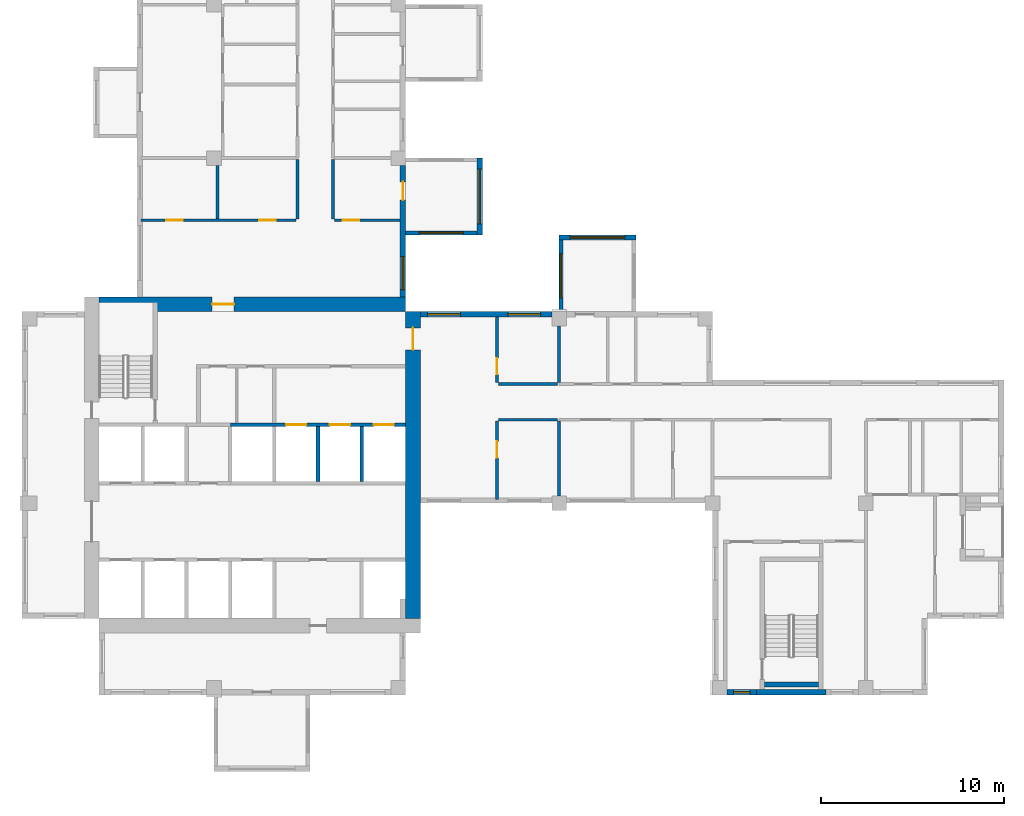
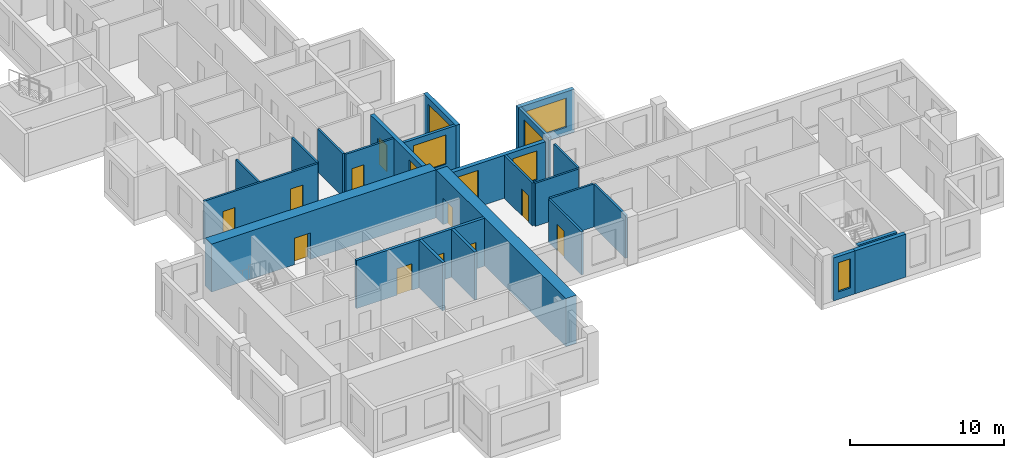
# One storey, part 3 of 11: 25 walls, 11 doors, 8 windows, 19 openings.
"""IFC4 building model written with IfcOpenShell, lengths in metres."""

from ifc_helpers import new_model, si_unit, direction, frame, frame_2d, origin, place, context, subcontext, project, spatial, rectangle, extrude, source, transform, mapped, material, layer, layer_set, type_object, element, fill, save


model = new_model("IFC4")

# Units and contexts
model_context = context("Model", 3, precision=1e-05, world=origin(), true_north=direction((0.0, 1.0)))
body_context = subcontext(model_context, "Body", "Model", "MODEL_VIEW")
ifc_project = project(units=[si_unit("LENGTHUNIT", "METRE"), si_unit("AREAUNIT", "SQUARE_METRE"), si_unit("VOLUMEUNIT", "CUBIC_METRE"), si_unit("PLANEANGLEUNIT", "RADIAN"), si_unit("MASSUNIT", "GRAM", prefix="KILO")], contexts=[model_context])

# Site, building, storey
site_placement = place(None, origin())
site = spatial("IfcSite", under=ifc_project, at=site_placement, CompositionType="ELEMENT")
building_placement = place(site_placement, origin())
building = spatial("IfcBuilding", under=site, at=building_placement, Name="Aurelian Terraces", CompositionType="ELEMENT")
storey_placement = place(building_placement, frame((0.0, 0.0, 257.6)))
storey = spatial("IfcBuildingStorey", under=building, at=storey_placement, Name="L59", CompositionType="ELEMENT", Elevation=257.6)

# Wall
ifc_material_1 = material(Name="Gypsum board on steel studs", Category="steel")
ifc_layer_1 = layer(ifc_material_1, 0.15)
ifc_layer_set_1 = layer_set([ifc_layer_1], Name="Partition 150")
wall_type_1 = type_object("IfcWallType", Name="Partition 150", PredefinedType="PARTITIONING", material=ifc_layer_set_1)
wall_1_placement = place(storey_placement, frame((10.7, 26.075, 0.0), z_axis=(0.0, 0.0, 1.0), x_axis=(0.0, 1.0, 0.0)))
element("IfcWall", 1, at=wall_1_placement, inside=storey, type_object=wall_type_1, Name="Partition", PredefinedType="PARTITIONING", context=body_context, shape_type="SweptSolid", body=[
    extrude(rectangle(XDim=2.926, YDim=0.15, at=frame_2d((1.463, 0.0))), origin(), (0.0, 0.0, 1.0), 3.4),
])

# Wall, opening, door
ifc_material_2 = material(Name="Concrete fc' 70 MPa", Category="concrete")
ifc_layer_2 = layer(ifc_material_2, 0.8)
ifc_layer_set_2 = layer_set([ifc_layer_2], Name="CORE WALL 800 FC70")
wall_type_2 = type_object("IfcWallType", Name="CORE WALL 800 FC70", PredefinedType="SHEAR", material=ifc_layer_set_2)
shared_shape_1 = source(origin(), body_context, "Body", "SweptSolid", [
    extrude(rectangle(XDim=16.8, YDim=0.8, at=frame_2d((8.4, 0.0))), origin(), (0.0, 0.0, 1.0), 3.8),
])
wall_2_placement = place(storey_placement, frame((21.4, 4.2, 0.0), z_axis=(0.0, 0.0, 1.0), x_axis=(0.0, 1.0, 0.0)))
wall_2 = element("IfcWall", 2, at=wall_2_placement, inside=storey, type_object=wall_type_2, Name="Core wall E L59", PredefinedType="SHEAR", context=body_context, shape_type="MappedRepresentation", body=[
    mapped(shared_shape_1, transform((0.0, 0.0, 0.0), scale=1.0)),
])
shared_shape_2 = source(origin(), body_context, "Body", "SweptSolid", [
    extrude(rectangle(XDim=1.2, YDim=2.1, at=frame_2d((0.6, 1.05))), frame((0.0, 0.41, 0.0), z_axis=(0.0, -1.0, 0.0), x_axis=(1.0, 0.0, 0.0)), (0.0, 0.0, 1.0), 0.82),
])
opening_1_placement = place(wall_2_placement, frame((14.7, 0.0, 0.0)))
opening_1 = element("IfcOpeningElement", 3, at=opening_1_placement, cuts=wall_2, Name="Opening 66223", PredefinedType="OPENING", context=body_context, shape_type="MappedRepresentation", body=[
    mapped(shared_shape_2, transform((0.0, 0.0, 0.0), scale=1.0)),
])
ifc_material_3 = material(Name="Steel door leaf", Category="steel")
door_type_1 = type_object("IfcDoorType", Name="Core fire door 1200x2100", OperationType="SINGLE_SWING_LEFT", PredefinedType="DOOR", material=ifc_material_3)
shared_shape_3 = source(origin(), body_context, "Body", "SweptSolid", [
    extrude(rectangle(XDim=1.2, YDim=2.1, at=frame_2d((0.6, 1.05))), frame((0.0, 0.025, 0.0), z_axis=(0.0, -1.0, 0.0), x_axis=(1.0, 0.0, 0.0)), (0.0, 0.0, 1.0), 0.05),
])
door_1_placement = place(opening_1_placement, origin())
door_1 = element("IfcDoor", 4, at=door_1_placement, inside=storey, type_object=door_type_1, Name="Core door 66223", OperationType="SINGLE_SWING_LEFT", OverallHeight=2.1, OverallWidth=1.2, PredefinedType="DOOR", context=body_context, shape_type="MappedRepresentation", body=[
    mapped(shared_shape_3, transform((0.0, 0.0, 0.0), scale=1.0)),
])
fill(opening_1, door_1)

wall_3_placement = place(storey_placement, frame((4.2, 21.4, 0.0), z_axis=(0.0, 0.0, 1.0), x_axis=(1.0, 0.0, 0.0)))
wall_3 = element("IfcWall", 5, at=wall_3_placement, inside=storey, type_object=wall_type_2, Name="Core wall N L59", PredefinedType="SHEAR", context=body_context, shape_type="MappedRepresentation", body=[
    mapped(shared_shape_1, transform((0.0, 0.0, 0.0), scale=1.0)),
])
opening_2_placement = place(wall_3_placement, frame((6.2, 0.0, 0.0)))
opening_2 = element("IfcOpeningElement", 6, at=opening_2_placement, cuts=wall_3, Name="Opening 66222", PredefinedType="OPENING", context=body_context, shape_type="MappedRepresentation", body=[
    mapped(shared_shape_2, transform((0.0, 0.0, 0.0), scale=1.0)),
])
door_type_2 = type_object("IfcDoorType", Name="Core fire door 1200x2100 right", OperationType="SINGLE_SWING_RIGHT", PredefinedType="DOOR", material=ifc_material_3)
door_2_placement = place(opening_2_placement, origin())
door_2 = element("IfcDoor", 7, at=door_2_placement, inside=storey, type_object=door_type_2, Name="Core door 66222", OperationType="SINGLE_SWING_RIGHT", OverallHeight=2.1, OverallWidth=1.2, PredefinedType="DOOR", context=body_context, shape_type="MappedRepresentation", body=[
    mapped(shared_shape_3, transform((0.0, 0.0, 0.0), scale=1.0)),
])
fill(opening_2, door_2)

# Wall, opening, window
ifc_material_4 = material(Name="Concrete fc' 40 MPa", Category="concrete")
ifc_layer_3 = layer(ifc_material_4, 0.2)
ifc_layer_set_3 = layer_set([ifc_layer_3], Name="BOX BEARING WALL 200")
wall_type_3 = type_object("IfcWallType", Name="BOX BEARING WALL 200", PredefinedType="SOLIDWALL", material=ifc_layer_set_3)
shared_shape_4 = source(origin(), body_context, "Body", "SweptSolid", [
    extrude(rectangle(XDim=3.9, YDim=0.2, at=frame_2d((1.95, 0.0))), origin(), (0.0, 0.0, 1.0), 3.39),
])
wall_4_placement = place(storey_placement, frame((21.0, 25.3, 0.0), z_axis=(0.0, 0.0, 1.0), x_axis=(1.0, 0.0, 0.0)))
wall_4 = element("IfcWall", 8, at=wall_4_placement, inside=storey, type_object=wall_type_3, Name="Box return L59 J86.1", PredefinedType="SOLIDWALL", context=body_context, shape_type="MappedRepresentation", body=[
    mapped(shared_shape_4, transform((0.0, 0.0, 0.0), scale=1.0)),
])
shared_shape_5 = source(origin(), body_context, "Body", "SweptSolid", [
    extrude(rectangle(XDim=2.4, YDim=2.3, at=frame_2d((1.2, 1.15))), frame((0.0, 0.11, 0.0), z_axis=(0.0, -1.0, 0.0), x_axis=(1.0, 0.0, 0.0)), (0.0, 0.0, 1.0), 0.22),
])
opening_3_placement = place(wall_4_placement, frame((0.75, 0.0, 0.6)))
opening_3 = element("IfcOpeningElement", 9, at=opening_3_placement, cuts=wall_4, Name="Opening W2423", PredefinedType="OPENING", context=body_context, shape_type="MappedRepresentation", body=[
    mapped(shared_shape_5, transform((0.0, 0.0, 0.0), scale=1.0)),
])
ifc_material_5 = material(Name="Clear glazing", Category="glass")
window_type_1 = type_object("IfcWindowType", Name="W-2400x2300", PartitioningType="SINGLE_PANEL", PredefinedType="WINDOW", material=ifc_material_5)
shared_shape_6 = source(origin(), body_context, "Body", "SweptSolid", [
    extrude(rectangle(XDim=2.4, YDim=2.3, at=frame_2d((1.2, 1.15))), frame((0.0, 0.03, 0.0), z_axis=(0.0, -1.0, 0.0), x_axis=(1.0, 0.0, 0.0)), (0.0, 0.0, 1.0), 0.06),
])
window_1_placement = place(opening_3_placement, origin())
window_1 = element("IfcWindow", 10, at=window_1_placement, inside=storey, type_object=window_type_1, Name="Window L59 J86-S1", OverallHeight=2.3, OverallWidth=2.4, PartitioningType="SINGLE_PANEL", PredefinedType="WINDOW", context=body_context, shape_type="MappedRepresentation", body=[
    mapped(shared_shape_6, transform((0.0, 0.0, 0.0), scale=1.0)),
])
fill(opening_3, window_1)

shared_shape_7 = source(origin(), body_context, "Body", "SweptSolid", [
    extrude(rectangle(XDim=3.9, YDim=0.2, at=frame_2d((1.95, 0.0))), origin(), (0.0, 0.0, 1.0), 3.4),
])
wall_5_placement = place(storey_placement, frame((29.5, 21.0, 0.0), z_axis=(0.0, 0.0, 1.0), x_axis=(0.0, 1.0, 0.0)))
wall_5 = element("IfcWall", 11, at=wall_5_placement, inside=storey, type_object=wall_type_3, Name="Box return L59 J84.2", PredefinedType="SOLIDWALL", context=body_context, shape_type="MappedRepresentation", body=[
    mapped(shared_shape_7, transform((0.0, 0.0, 0.0), scale=1.0)),
])
opening_4_placement = place(wall_5_placement, frame((0.75, 0.0, 0.6)))
opening_4 = element("IfcOpeningElement", 12, at=opening_4_placement, cuts=wall_5, Name="Opening W2423", PredefinedType="OPENING", context=body_context, shape_type="MappedRepresentation", body=[
    mapped(shared_shape_5, transform((0.0, 0.0, 0.0), scale=1.0)),
])
window_2_placement = place(opening_4_placement, origin())
window_2 = element("IfcWindow", 13, at=window_2_placement, inside=storey, type_object=window_type_1, Name="Window L59 J84-S2", OverallHeight=2.3, OverallWidth=2.4, PartitioningType="SINGLE_PANEL", PredefinedType="WINDOW", context=body_context, shape_type="MappedRepresentation", body=[
    mapped(shared_shape_6, transform((0.0, 0.0, 0.0), scale=1.0)),
])
fill(opening_4, window_2)

ifc_layer_4 = layer(ifc_material_4, 0.3)
ifc_layer_set_4 = layer_set([ifc_layer_4], Name="BOX BEARING WALL 300")
wall_type_4 = type_object("IfcWallType", Name="BOX BEARING WALL 300", PredefinedType="SOLIDWALL", material=ifc_layer_set_4)
shared_shape_8 = source(origin(), body_context, "Body", "SweptSolid", [
    extrude(rectangle(XDim=4.2, YDim=0.3, at=frame_2d((2.1, 0.0))), origin(), (0.0, 0.0, 1.0), 3.39),
])
wall_6_placement = place(storey_placement, frame((25.05, 25.2, 0.0), z_axis=(0.0, 0.0, 1.0), x_axis=(0.0, 1.0, 0.0)))
wall_6 = element("IfcWall", 14, at=wall_6_placement, inside=storey, type_object=wall_type_4, Name="Box wall L59 J86", PredefinedType="SOLIDWALL", context=body_context, shape_type="MappedRepresentation", body=[
    mapped(shared_shape_8, transform((0.0, 0.0, 0.0), scale=1.0)),
])
shared_shape_9 = source(origin(), body_context, "Body", "SweptSolid", [
    extrude(rectangle(XDim=3.0, YDim=2.3, at=frame_2d((1.5, 1.15))), frame((0.0, 0.16, 0.0), z_axis=(0.0, -1.0, 0.0), x_axis=(1.0, 0.0, 0.0)), (0.0, 0.0, 1.0), 0.32),
])
opening_5_placement = place(wall_6_placement, frame((0.6, 0.0, 0.6)))
opening_5 = element("IfcOpeningElement", 15, at=opening_5_placement, cuts=wall_6, Name="Opening W3023", PredefinedType="OPENING", context=body_context, shape_type="MappedRepresentation", body=[
    mapped(shared_shape_9, transform((0.0, 0.0, 0.0), scale=1.0)),
])
window_type_2 = type_object("IfcWindowType", Name="W-3000x2300", PartitioningType="SINGLE_PANEL", PredefinedType="WINDOW", material=ifc_material_5)
shared_shape_10 = source(origin(), body_context, "Body", "SweptSolid", [
    extrude(rectangle(XDim=3.0, YDim=2.3, at=frame_2d((1.5, 1.15))), frame((0.0, 0.03, 0.0), z_axis=(0.0, -1.0, 0.0), x_axis=(1.0, 0.0, 0.0)), (0.0, 0.0, 1.0), 0.06),
])
window_3_placement = place(opening_5_placement, origin())
window_3 = element("IfcWindow", 16, at=window_3_placement, inside=storey, type_object=window_type_2, Name="Window L59 J86-F1", OverallHeight=2.3, OverallWidth=3.0, PartitioningType="SINGLE_PANEL", PredefinedType="WINDOW", context=body_context, shape_type="MappedRepresentation", body=[
    mapped(shared_shape_10, transform((0.0, 0.0, 0.0), scale=1.0)),
])
fill(opening_5, window_3)

shared_shape_11 = source(origin(), body_context, "Body", "SweptSolid", [
    extrude(rectangle(XDim=4.2, YDim=0.3, at=frame_2d((2.1, 0.0))), origin(), (0.0, 0.0, 1.0), 3.4),
])
wall_7_placement = place(storey_placement, frame((33.6, 25.05, 0.0), z_axis=(0.0, 0.0, 1.0), x_axis=(-1.0, 0.0, 0.0)))
wall_7 = element("IfcWall", 17, at=wall_7_placement, inside=storey, type_object=wall_type_4, Name="Box wall L59 J84", PredefinedType="SOLIDWALL", context=body_context, shape_type="MappedRepresentation", body=[
    mapped(shared_shape_11, transform((0.0, 0.0, 0.0), scale=1.0)),
])
opening_6_placement = place(wall_7_placement, frame((0.6, 0.0, 0.6)))
opening_6 = element("IfcOpeningElement", 18, at=opening_6_placement, cuts=wall_7, Name="Opening W3023", PredefinedType="OPENING", context=body_context, shape_type="MappedRepresentation", body=[
    mapped(shared_shape_9, transform((0.0, 0.0, 0.0), scale=1.0)),
])
window_4_placement = place(opening_6_placement, origin())
window_4 = element("IfcWindow", 19, at=window_4_placement, inside=storey, type_object=window_type_2, Name="Window L59 J84-F1", OverallHeight=2.3, OverallWidth=3.0, PartitioningType="SINGLE_PANEL", PredefinedType="WINDOW", context=body_context, shape_type="MappedRepresentation", body=[
    mapped(shared_shape_10, transform((0.0, 0.0, 0.0), scale=1.0)),
])
fill(opening_6, window_4)

# Wall
ifc_layer_5 = layer(ifc_material_4, 0.3)
ifc_layer_set_5 = layer_set([ifc_layer_5], Name="STAIR BAY WALL 300")
wall_type_5 = type_object("IfcWallType", Name="STAIR BAY WALL 300", PredefinedType="SOLIDWALL", material=ifc_layer_set_5)
shared_shape_12 = source(origin(), body_context, "Body", "SweptSolid", [
    extrude(rectangle(XDim=3.8, YDim=0.3, at=frame_2d((1.9, 0.0))), origin(), (0.0, 0.0, 1.0), 3.4),
])
wall_8_placement = place(storey_placement, frame((40.2, 0.15, 0.0), z_axis=(0.0, 0.0, 1.0), x_axis=(1.0, 0.0, 0.0)))
element("IfcWall", 20, at=wall_8_placement, inside=storey, type_object=wall_type_5, Name="Stair bay wall L59 F05.8", PredefinedType="SOLIDWALL", context=body_context, shape_type="MappedRepresentation", body=[
    mapped(shared_shape_12, transform((0.0, 0.0, 0.0), scale=1.0)),
])

# Wall, openings, windows
ifc_material_6 = material(Name="Terracotta rainscreen cladding", Category="masonry")
ifc_layer_6 = layer(ifc_material_6, 0.3)
ifc_layer_set_6 = layer_set([ifc_layer_6], Name="EW-300")
wall_type_6 = type_object("IfcWallType", Name="EW-300", PredefinedType="STANDARD", material=ifc_layer_set_6)
shared_shape_13 = source(origin(), body_context, "Body", "SweptSolid", [
    extrude(rectangle(XDim=7.2, YDim=0.3, at=frame_2d((3.6, 0.0))), origin(), (0.0, 0.0, 1.0), 3.4),
])
wall_9_placement = place(storey_placement, frame((29.0, 20.85, 0.0), z_axis=(0.0, 0.0, 1.0), x_axis=(-1.0, 0.0, 0.0)))
wall_9 = element("IfcWall", 21, at=wall_9_placement, inside=storey, type_object=wall_type_6, Name="External wall L59 F11.19", PredefinedType="STANDARD", context=body_context, shape_type="MappedRepresentation", body=[
    mapped(shared_shape_13, transform((0.0, 0.0, 0.0), scale=1.0)),
])
shared_shape_14 = source(origin(), body_context, "Body", "SweptSolid", [
    extrude(rectangle(XDim=1.8, YDim=2.3, at=frame_2d((0.9, 1.15))), frame((0.0, 0.16, 0.0), z_axis=(0.0, -1.0, 0.0), x_axis=(1.0, 0.0, 0.0)), (0.0, 0.0, 1.0), 0.32),
])
opening_7_placement = place(wall_9_placement, frame((0.6125, 0.0, 0.6)))
opening_7 = element("IfcOpeningElement", 22, at=opening_7_placement, cuts=wall_9, Name="Opening W1823", PredefinedType="OPENING", context=body_context, shape_type="MappedRepresentation", body=[
    mapped(shared_shape_14, transform((0.0, 0.0, 0.0), scale=1.0)),
])
opening_8_placement = place(wall_9_placement, frame((5.0, 0.0, 0.6)))
opening_8 = element("IfcOpeningElement", 23, at=opening_8_placement, cuts=wall_9, Name="Opening W1823", PredefinedType="OPENING", context=body_context, shape_type="MappedRepresentation", body=[
    mapped(shared_shape_14, transform((0.0, 0.0, 0.0), scale=1.0)),
])
window_type_3 = type_object("IfcWindowType", Name="W-1800x2300", PartitioningType="SINGLE_PANEL", PredefinedType="WINDOW", material=ifc_material_5)
shared_shape_15 = source(origin(), body_context, "Body", "SweptSolid", [
    extrude(rectangle(XDim=1.8, YDim=2.3, at=frame_2d((0.9, 1.15))), frame((0.0, 0.03, 0.0), z_axis=(0.0, -1.0, 0.0), x_axis=(1.0, 0.0, 0.0)), (0.0, 0.0, 1.0), 0.06),
])
window_5_placement = place(opening_7_placement, origin())
window_5 = element("IfcWindow", 24, at=window_5_placement, inside=storey, type_object=window_type_3, Name="Window L59 L59-F11-19-0", OverallHeight=2.3, OverallWidth=1.8, PartitioningType="SINGLE_PANEL", PredefinedType="WINDOW", context=body_context, shape_type="MappedRepresentation", body=[
    mapped(shared_shape_15, transform((0.0, 0.0, 0.0), scale=1.0)),
])
fill(opening_7, window_5)
window_6_placement = place(opening_8_placement, origin())
window_6 = element("IfcWindow", 25, at=window_6_placement, inside=storey, type_object=window_type_3, Name="Window L59 L59-F11-19-1", OverallHeight=2.3, OverallWidth=1.8, PartitioningType="SINGLE_PANEL", PredefinedType="WINDOW", context=body_context, shape_type="MappedRepresentation", body=[
    mapped(shared_shape_15, transform((0.0, 0.0, 0.0), scale=1.0)),
])
fill(opening_8, window_6)

# Wall, openings, window, door
wall_10_placement = place(storey_placement, frame((20.85, 21.8, 0.0), z_axis=(0.0, 0.0, 1.0), x_axis=(0.0, 1.0, 0.0)))
wall_10 = element("IfcWall", 26, at=wall_10_placement, inside=storey, type_object=wall_type_6, Name="External wall L59 F12.20", PredefinedType="STANDARD", context=body_context, shape_type="MappedRepresentation", body=[
    mapped(shared_shape_13, transform((0.0, 0.0, 0.0), scale=1.0)),
])
opening_9_placement = place(wall_10_placement, frame((0.4, 0.0, 0.6)))
opening_9 = element("IfcOpeningElement", 27, at=opening_9_placement, cuts=wall_10, Name="Opening W1823", PredefinedType="OPENING", context=body_context, shape_type="MappedRepresentation", body=[
    mapped(shared_shape_14, transform((0.0, 0.0, 0.0), scale=1.0)),
])
shared_shape_16 = source(origin(), body_context, "Body", "SweptSolid", [
    extrude(rectangle(XDim=1.0, YDim=2.1, at=frame_2d((0.5, 1.05))), frame((0.0, 0.16, 0.0), z_axis=(0.0, -1.0, 0.0), x_axis=(1.0, 0.0, 0.0)), (0.0, 0.0, 1.0), 0.32),
])
opening_10_placement = place(wall_10_placement, frame((5.2917, 0.0, 0.0)))
opening_10 = element("IfcOpeningElement", 28, at=opening_10_placement, cuts=wall_10, Name="Opening 859004", PredefinedType="OPENING", context=body_context, shape_type="MappedRepresentation", body=[
    mapped(shared_shape_16, transform((0.0, 0.0, 0.0), scale=1.0)),
])
window_7_placement = place(opening_9_placement, origin())
window_7 = element("IfcWindow", 29, at=window_7_placement, inside=storey, type_object=window_type_3, Name="Window L59 L59-F12-20-0", OverallHeight=2.3, OverallWidth=1.8, PartitioningType="SINGLE_PANEL", PredefinedType="WINDOW", context=body_context, shape_type="MappedRepresentation", body=[
    mapped(shared_shape_15, transform((0.0, 0.0, 0.0), scale=1.0)),
])
fill(opening_9, window_7)
ifc_material_7 = material(Name="Timber door leaf", Category="wood")
door_type_3 = type_object("IfcDoorType", Name="Room door 1000x2100 left", OperationType="SINGLE_SWING_LEFT", PredefinedType="DOOR", material=ifc_material_7)
shared_shape_17 = source(origin(), body_context, "Body", "SweptSolid", [
    extrude(rectangle(XDim=1.0, YDim=2.1, at=frame_2d((0.5, 1.05))), frame((0.0, 0.025, 0.0), z_axis=(0.0, -1.0, 0.0), x_axis=(1.0, 0.0, 0.0)), (0.0, 0.0, 1.0), 0.05),
])
door_3_placement = place(opening_10_placement, origin())
door_3 = element("IfcDoor", 30, at=door_3_placement, inside=storey, type_object=door_type_3, Name="Door 859004", OperationType="SINGLE_SWING_LEFT", OverallHeight=2.1, OverallWidth=1.0, PredefinedType="DOOR", context=body_context, shape_type="MappedRepresentation", body=[
    mapped(shared_shape_17, transform((0.0, 0.0, 0.0), scale=1.0)),
])
fill(opening_10, door_3)

# Wall, opening, window
shared_shape_18 = source(origin(), body_context, "Body", "SweptSolid", [
    extrude(rectangle(XDim=1.6, YDim=0.3, at=frame_2d((0.8, 0.0))), origin(), (0.0, 0.0, 1.0), 3.4),
])
wall_11_placement = place(storey_placement, frame((38.6, 0.15, 0.0), z_axis=(0.0, 0.0, 1.0), x_axis=(1.0, 0.0, 0.0)))
wall_11 = element("IfcWall", 31, at=wall_11_placement, inside=storey, type_object=wall_type_6, Name="External wall L59 F05.8", PredefinedType="STANDARD", context=body_context, shape_type="MappedRepresentation", body=[
    mapped(shared_shape_18, transform((0.0, 0.0, 0.0), scale=1.0)),
])
shared_shape_19 = source(origin(), body_context, "Body", "SweptSolid", [
    extrude(rectangle(XDim=0.9, YDim=2.3, at=frame_2d((0.45, 1.15))), frame((0.0, 0.16, 0.0), z_axis=(0.0, -1.0, 0.0), x_axis=(1.0, 0.0, 0.0)), (0.0, 0.0, 1.0), 0.32),
])
opening_11_placement = place(wall_11_placement, frame((0.35, 0.0, 0.6)))
opening_11 = element("IfcOpeningElement", 32, at=opening_11_placement, cuts=wall_11, Name="Opening W0923", PredefinedType="OPENING", context=body_context, shape_type="MappedRepresentation", body=[
    mapped(shared_shape_19, transform((0.0, 0.0, 0.0), scale=1.0)),
])
window_type_4 = type_object("IfcWindowType", Name="W-900x2300", PartitioningType="SINGLE_PANEL", PredefinedType="WINDOW", material=ifc_material_5)
shared_shape_20 = source(origin(), body_context, "Body", "SweptSolid", [
    extrude(rectangle(XDim=0.9, YDim=2.3, at=frame_2d((0.45, 1.15))), frame((0.0, 0.03, 0.0), z_axis=(0.0, -1.0, 0.0), x_axis=(1.0, 0.0, 0.0)), (0.0, 0.0, 1.0), 0.06),
])
window_8_placement = place(opening_11_placement, origin())
window_8 = element("IfcWindow", 33, at=window_8_placement, inside=storey, type_object=window_type_4, Name="Window L59 L59-F05-08-P0", OverallHeight=2.3, OverallWidth=0.9, PartitioningType="SINGLE_PANEL", PredefinedType="WINDOW", context=body_context, shape_type="MappedRepresentation", body=[
    mapped(shared_shape_20, transform((0.0, 0.0, 0.0), scale=1.0)),
])
fill(opening_11, window_8)

# Walls
ifc_layer_7 = layer(ifc_material_4, 0.2)
ifc_layer_set_7 = layer_set([ifc_layer_7], Name="Lift shaft wall 200")
wall_type_7 = type_object("IfcWallType", Name="Lift shaft wall 200", PredefinedType="SOLIDWALL", material=ifc_layer_set_7)
shared_shape_21 = source(origin(), body_context, "Body", "SweptSolid", [
    extrude(rectangle(XDim=3.0, YDim=0.2, at=frame_2d((1.5, 0.0))), origin(), (0.0, 0.0, 1.0), 3.8),
])
for number, where, z_axis, x_axis, name in (
    (34, (16.2, 11.7, 0.0), (0.0, 0.0, 1.0), (0.0, 1.0, 0.0), "L59 core wall CD-B5"),
    (35, (18.6, 11.7, 0.0), (0.0, 0.0, 1.0), (0.0, 1.0, 0.0), "L59 core wall CD-B6"),
):
    element("IfcWall", number, at=place(storey_placement, frame(where, z_axis=z_axis, x_axis=x_axis)), inside=storey, type_object=wall_type_7, Name=name, PredefinedType="SOLIDWALL", context=body_context, shape_type="MappedRepresentation", body=[
        mapped(shared_shape_21, transform((0.0, 0.0, 0.0), scale=1.0)),
    ])

# Wall, openings, doors
shared_shape_22 = source(origin(), body_context, "Body", "SweptSolid", [
    extrude(rectangle(XDim=9.6, YDim=0.2, at=frame_2d((4.8, 0.0))), origin(), (0.0, 0.0, 1.0), 3.8),
])
wall_12_placement = place(storey_placement, frame((11.4, 14.8, 0.0), z_axis=(0.0, 0.0, 1.0), x_axis=(1.0, 0.0, 0.0)))
wall_12 = element("IfcWall", 36, at=wall_12_placement, inside=storey, type_object=wall_type_7, Name="L59 core wall CF-BB3", PredefinedType="SOLIDWALL", context=body_context, shape_type="MappedRepresentation", body=[
    mapped(shared_shape_22, transform((0.0, 0.0, 0.0), scale=1.0)),
])
shared_shape_23 = source(origin(), body_context, "Body", "SweptSolid", [
    extrude(rectangle(XDim=1.1, YDim=2.1, at=frame_2d((0.55, 1.05))), frame((0.0, 0.11, 0.0), z_axis=(0.0, -1.0, 0.0), x_axis=(1.0, 0.0, 0.0)), (0.0, 0.0, 1.0), 0.22),
])
opening_12_placement = place(wall_12_placement, frame((3.05, 0.0, 0.0)))
opening_12 = element("IfcOpeningElement", 37, at=opening_12_placement, cuts=wall_12, Name="Opening 66208", PredefinedType="OPENING", context=body_context, shape_type="MappedRepresentation", body=[
    mapped(shared_shape_23, transform((0.0, 0.0, 0.0), scale=1.0)),
])
opening_13_placement = place(wall_12_placement, frame((5.45, 0.0, 0.0)))
opening_13 = element("IfcOpeningElement", 38, at=opening_13_placement, cuts=wall_12, Name="Opening 66209", PredefinedType="OPENING", context=body_context, shape_type="MappedRepresentation", body=[
    mapped(shared_shape_23, transform((0.0, 0.0, 0.0), scale=1.0)),
])
opening_14_placement = place(wall_12_placement, frame((7.85, 0.0, 0.0)))
opening_14 = element("IfcOpeningElement", 39, at=opening_14_placement, cuts=wall_12, Name="Opening 66210", PredefinedType="OPENING", context=body_context, shape_type="MappedRepresentation", body=[
    mapped(shared_shape_23, transform((0.0, 0.0, 0.0), scale=1.0)),
])
ifc_material_8 = material(Name="Stainless steel", Category="steel")
door_type_4 = type_object("IfcDoorType", Name="Lift landing door 1100x2100", OperationType="SLIDING_TO_LEFT", PredefinedType="DOOR", material=ifc_material_8)
shared_shape_24 = source(origin(), body_context, "Body", "SweptSolid", [
    extrude(rectangle(XDim=1.1, YDim=2.1, at=frame_2d((0.55, 1.05))), frame((0.0, 0.025, 0.0), z_axis=(0.0, -1.0, 0.0), x_axis=(1.0, 0.0, 0.0)), (0.0, 0.0, 1.0), 0.05),
])
door_4_placement = place(opening_12_placement, origin())
door_4 = element("IfcDoor", 40, at=door_4_placement, inside=storey, type_object=door_type_4, Name="Lift landing door F1 L59", OperationType="SLIDING_TO_LEFT", OverallHeight=2.1, OverallWidth=1.1, PredefinedType="DOOR", context=body_context, shape_type="MappedRepresentation", body=[
    mapped(shared_shape_24, transform((0.0, 0.0, 0.0), scale=1.0)),
])
fill(opening_12, door_4)
door_5_placement = place(opening_13_placement, origin())
door_5 = element("IfcDoor", 41, at=door_5_placement, inside=storey, type_object=door_type_4, Name="Lift landing door F2 L59", OperationType="SLIDING_TO_LEFT", OverallHeight=2.1, OverallWidth=1.1, PredefinedType="DOOR", context=body_context, shape_type="MappedRepresentation", body=[
    mapped(shared_shape_24, transform((0.0, 0.0, 0.0), scale=1.0)),
])
fill(opening_13, door_5)
door_6_placement = place(opening_14_placement, origin())
door_6 = element("IfcDoor", 42, at=door_6_placement, inside=storey, type_object=door_type_4, Name="Lift landing door F3 L59", OperationType="SLIDING_TO_LEFT", OverallHeight=2.1, OverallWidth=1.1, PredefinedType="DOOR", context=body_context, shape_type="MappedRepresentation", body=[
    mapped(shared_shape_24, transform((0.0, 0.0, 0.0), scale=1.0)),
])
fill(opening_14, door_6)

# Wall
ifc_layer_8 = layer(ifc_material_4, 0.25)
ifc_layer_set_8 = layer_set([ifc_layer_8], Name="Stair enclosure wall 250")
wall_type_8 = type_object("IfcWallType", Name="Stair enclosure wall 250", PredefinedType="SOLIDWALL", material=ifc_layer_set_8)
shared_shape_25 = source(origin(), body_context, "Body", "SweptSolid", [
    extrude(rectangle(XDim=2.95, YDim=0.25, at=frame_2d((1.475, 0.0))), origin(), (0.0, 0.0, 1.0), 3.4),
])
wall_13_placement = place(storey_placement, frame((40.65, 0.575, 0.0), z_axis=(0.0, 0.0, 1.0), x_axis=(1.0, 0.0, 0.0)))
element("IfcWall", 43, at=wall_13_placement, inside=storey, type_object=wall_type_8, Name="L59 core wall ST-S2-SS", PredefinedType="SOLIDWALL", context=body_context, shape_type="MappedRepresentation", body=[
    mapped(shared_shape_25, transform((0.0, 0.0, 0.0), scale=1.0)),
])

# Wall, opening, door
shared_shape_26 = source(origin(), body_context, "Body", "SweptSolid", [
    extrude(rectangle(XDim=3.6, YDim=0.15, at=frame_2d((1.8, 0.0))), origin(), (0.0, 0.0, 1.0), 3.4),
])
wall_14_placement = place(storey_placement, frame((26.0, 20.7, 0.0), z_axis=(0.0, 0.0, 1.0), x_axis=(0.0, -1.0, 0.0)))
wall_14 = element("IfcWall", 44, at=wall_14_placement, inside=storey, type_object=wall_type_1, Name="Partition", PredefinedType="PARTITIONING", context=body_context, shape_type="MappedRepresentation", body=[
    mapped(shared_shape_26, transform((0.0, 0.0, 0.0), scale=1.0)),
])
shared_shape_27 = source(origin(), body_context, "Body", "SweptSolid", [
    extrude(rectangle(XDim=0.9, YDim=2.1, at=frame_2d((0.45, 1.05))), frame((0.0, 0.085, 0.0), z_axis=(0.0, -1.0, 0.0), x_axis=(1.0, 0.0, 0.0)), (0.0, 0.0, 1.0), 0.17),
])
opening_15_placement = place(wall_14_placement, frame((2.25, 0.0, 0.0)))
opening_15 = element("IfcOpeningElement", 45, at=opening_15_placement, cuts=wall_14, Name="Opening 759002", PredefinedType="OPENING", context=body_context, shape_type="MappedRepresentation", body=[
    mapped(shared_shape_27, transform((0.0, 0.0, 0.0), scale=1.0)),
])
door_type_5 = type_object("IfcDoorType", Name="Room door 900x2100 right", OperationType="SINGLE_SWING_RIGHT", PredefinedType="DOOR", material=ifc_material_7)
shared_shape_28 = source(origin(), body_context, "Body", "SweptSolid", [
    extrude(rectangle(XDim=0.9, YDim=2.1, at=frame_2d((0.45, 1.05))), frame((0.0, 0.025, 0.0), z_axis=(0.0, -1.0, 0.0), x_axis=(1.0, 0.0, 0.0)), (0.0, 0.0, 1.0), 0.05),
])
door_7_placement = place(opening_15_placement, origin())
door_7 = element("IfcDoor", 46, at=door_7_placement, inside=storey, type_object=door_type_5, Name="Door 759002", OperationType="SINGLE_SWING_RIGHT", OverallHeight=2.1, OverallWidth=0.9, PredefinedType="DOOR", context=body_context, shape_type="MappedRepresentation", body=[
    mapped(shared_shape_28, transform((0.0, 0.0, 0.0), scale=1.0)),
])
fill(opening_15, door_7)

wall_15_placement = place(storey_placement, frame((17.1, 26.0, 0.0), z_axis=(0.0, 0.0, 1.0), x_axis=(1.0, 0.0, 0.0)))
wall_15 = element("IfcWall", 47, at=wall_15_placement, inside=storey, type_object=wall_type_1, Name="Partition", PredefinedType="PARTITIONING", context=body_context, shape_type="MappedRepresentation", body=[
    mapped(shared_shape_26, transform((0.0, 0.0, 0.0), scale=1.0)),
])
opening_16_placement = place(wall_15_placement, frame((0.45, 0.0, 0.0)))
opening_16 = element("IfcOpeningElement", 48, at=opening_16_placement, cuts=wall_15, Name="Opening 759017", PredefinedType="OPENING", context=body_context, shape_type="MappedRepresentation", body=[
    mapped(shared_shape_27, transform((0.0, 0.0, 0.0), scale=1.0)),
])
door_8_placement = place(opening_16_placement, origin())
door_8 = element("IfcDoor", 49, at=door_8_placement, inside=storey, type_object=door_type_5, Name="Door 759017", OperationType="SINGLE_SWING_RIGHT", OverallHeight=2.1, OverallWidth=0.9, PredefinedType="DOOR", context=body_context, shape_type="MappedRepresentation", body=[
    mapped(shared_shape_28, transform((0.0, 0.0, 0.0), scale=1.0)),
])
fill(opening_16, door_8)

# Wall, openings, doors
shared_shape_29 = source(origin(), body_context, "Body", "SweptSolid", [
    extrude(rectangle(XDim=8.495, YDim=0.15, at=frame_2d((4.2475, 0.0))), origin(), (0.0, 0.0, 1.0), 3.4),
])
wall_16_placement = place(storey_placement, frame((6.505, 26.0, 0.0), z_axis=(0.0, 0.0, 1.0), x_axis=(1.0, 0.0, 0.0)))
wall_16 = element("IfcWall", 50, at=wall_16_placement, inside=storey, type_object=wall_type_1, Name="Partition", PredefinedType="PARTITIONING", context=body_context, shape_type="MappedRepresentation", body=[
    mapped(shared_shape_29, transform((0.0, 0.0, 0.0), scale=1.0)),
])
opening_17_placement = place(wall_16_placement, frame((1.395, 0.0, 0.0)))
opening_17 = element("IfcOpeningElement", 51, at=opening_17_placement, cuts=wall_16, Name="Opening 759015", PredefinedType="OPENING", context=body_context, shape_type="MappedRepresentation", body=[
    mapped(shared_shape_27, transform((0.0, 0.0, 0.0), scale=1.0)),
])
opening_18_placement = place(wall_16_placement, frame((6.47, 0.0, 0.0)))
opening_18 = element("IfcOpeningElement", 52, at=opening_18_placement, cuts=wall_16, Name="Opening 759016", PredefinedType="OPENING", context=body_context, shape_type="MappedRepresentation", body=[
    mapped(shared_shape_27, transform((0.0, 0.0, 0.0), scale=1.0)),
])
door_9_placement = place(opening_17_placement, origin())
door_9 = element("IfcDoor", 53, at=door_9_placement, inside=storey, type_object=door_type_5, Name="Door 759015", OperationType="SINGLE_SWING_RIGHT", OverallHeight=2.1, OverallWidth=0.9, PredefinedType="DOOR", context=body_context, shape_type="MappedRepresentation", body=[
    mapped(shared_shape_28, transform((0.0, 0.0, 0.0), scale=1.0)),
])
fill(opening_17, door_9)
door_type_6 = type_object("IfcDoorType", Name="Room door 900x2100 left", OperationType="SINGLE_SWING_LEFT", PredefinedType="DOOR", material=ifc_material_7)
door_10_placement = place(opening_18_placement, origin())
door_10 = element("IfcDoor", 54, at=door_10_placement, inside=storey, type_object=door_type_6, Name="Door 759016", OperationType="SINGLE_SWING_LEFT", OverallHeight=2.1, OverallWidth=0.9, PredefinedType="DOOR", context=body_context, shape_type="MappedRepresentation", body=[
    mapped(shared_shape_28, transform((0.0, 0.0, 0.0), scale=1.0)),
])
fill(opening_18, door_10)

# Wall, opening, door
shared_shape_30 = source(origin(), body_context, "Body", "SweptSolid", [
    extrude(rectangle(XDim=4.295, YDim=0.15, at=frame_2d((2.1475, 0.0))), origin(), (0.0, 0.0, 1.0), 3.4),
])
wall_17_placement = place(storey_placement, frame((26.0, 15.0, 0.0), z_axis=(0.0, 0.0, 1.0), x_axis=(0.0, -1.0, 0.0)))
wall_17 = element("IfcWall", 55, at=wall_17_placement, inside=storey, type_object=wall_type_1, Name="Partition", PredefinedType="PARTITIONING", context=body_context, shape_type="MappedRepresentation", body=[
    mapped(shared_shape_30, transform((0.0, 0.0, 0.0), scale=1.0)),
])
opening_19_placement = place(wall_17_placement, frame((1.1125, 0.0, 0.0)))
opening_19 = element("IfcOpeningElement", 56, at=opening_19_placement, cuts=wall_17, Name="Opening 759001", PredefinedType="OPENING", context=body_context, shape_type="MappedRepresentation", body=[
    mapped(shared_shape_27, transform((0.0, 0.0, 0.0), scale=1.0)),
])
door_11_placement = place(opening_19_placement, origin())
door_11 = element("IfcDoor", 57, at=door_11_placement, inside=storey, type_object=door_type_6, Name="Door 759001", OperationType="SINGLE_SWING_LEFT", OverallHeight=2.1, OverallWidth=0.9, PredefinedType="DOOR", context=body_context, shape_type="MappedRepresentation", body=[
    mapped(shared_shape_28, transform((0.0, 0.0, 0.0), scale=1.0)),
])
fill(opening_19, door_11)

# Walls
shared_shape_31 = source(origin(), body_context, "Body", "SweptSolid", [
    extrude(rectangle(XDim=4.101, YDim=0.15, at=frame_2d((2.0505, 0.0))), origin(), (0.0, 0.0, 1.0), 3.4),
])
wall_18_placement = place(storey_placement, frame((29.4, 10.899, 0.0), z_axis=(0.0, 0.0, 1.0), x_axis=(0.0, 1.0, 0.0)))
element("IfcWall", 58, at=wall_18_placement, inside=storey, type_object=wall_type_1, Name="Partition", PredefinedType="PARTITIONING", context=body_context, shape_type="MappedRepresentation", body=[
    mapped(shared_shape_31, transform((0.0, 0.0, 0.0), scale=1.0)),
])
shared_shape_32 = source(origin(), body_context, "Body", "SweptSolid", [
    extrude(rectangle(XDim=3.101, YDim=0.15, at=frame_2d((1.5505, 0.0))), origin(), (0.0, 0.0, 1.0), 3.4),
])
wall_19_placement = place(storey_placement, frame((29.4, 17.1, 0.0), z_axis=(0.0, 0.0, 1.0), x_axis=(0.0, 1.0, 0.0)))
element("IfcWall", 59, at=wall_19_placement, inside=storey, type_object=wall_type_1, Name="Partition", PredefinedType="PARTITIONING", context=body_context, shape_type="MappedRepresentation", body=[
    mapped(shared_shape_32, transform((0.0, 0.0, 0.0), scale=1.0)),
])
ifc_layer_9 = layer(ifc_material_1, 0.15)
ifc_layer_set_9 = layer_set([ifc_layer_9], Name="Fire partition 150")
wall_type_9 = type_object("IfcWallType", Name="Fire partition 150", PredefinedType="PARTITIONING", material=ifc_layer_set_9)
shared_shape_33 = source(origin(), body_context, "Body", "SweptSolid", [
    extrude(rectangle(XDim=3.25, YDim=0.15, at=frame_2d((1.625, 0.0))), origin(), (0.0, 0.0, 1.0), 3.4),
])
for number, where, z_axis, x_axis, name in (
    (60, (29.325, 15.075, 0.0), (0.0, 0.0, 1.0), (-1.0, 0.0, 0.0), "Corridor wall"),
    (61, (26.075, 17.025, 0.0), (0.0, 0.0, 1.0), (1.0, 0.0, 0.0), "Corridor wall"),
    (62, (15.075, 26.075, 0.0), (0.0, 0.0, 1.0), (0.0, 1.0, 0.0), "Corridor wall"),
    (63, (17.025, 29.325, 0.0), (0.0, 0.0, 1.0), (0.0, -1.0, 0.0), "Corridor wall"),
):
    element("IfcWall", number, at=place(storey_placement, frame(where, z_axis=z_axis, x_axis=x_axis)), inside=storey, type_object=wall_type_9, Name=name, PredefinedType="PARTITIONING", context=body_context, shape_type="MappedRepresentation", body=[
        mapped(shared_shape_33, transform((0.0, 0.0, 0.0), scale=1.0)),
    ])

save(model, "model.ifc")
